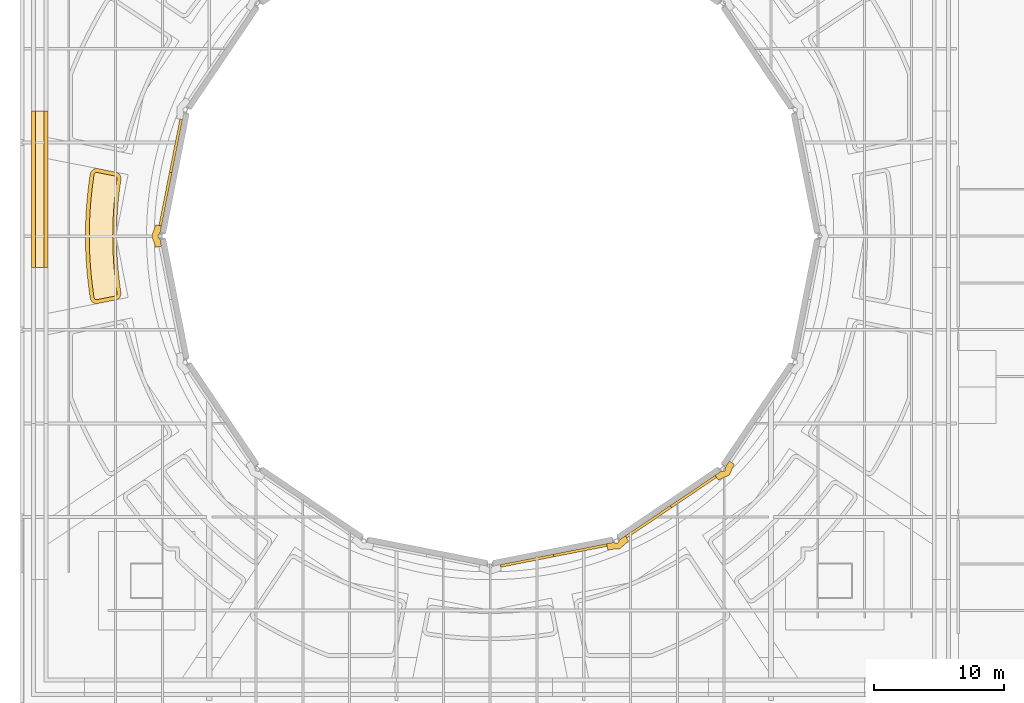
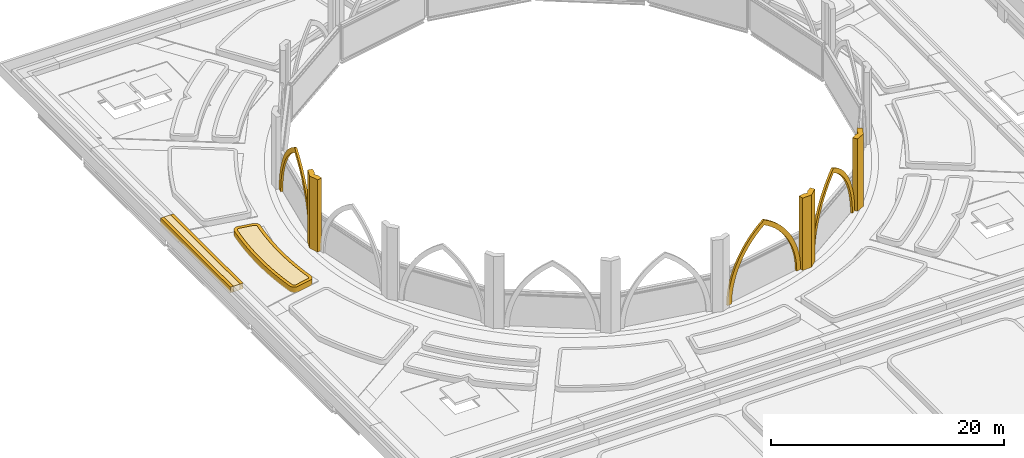
# One storey, part 87 of 110: 11 coverings.
"""IFC4 building model written with IfcOpenShell, lengths in metres."""

from ifc_helpers import new_model, si_unit, direction, frame, origin, place, context, subcontext, project, spatial, polyline, outline, extrude, material, layer, layer_set, type_object, element, save


model = new_model("IFC4")

# Units and contexts
model_context = context("Model", 3, precision=1e-05, world=origin(), true_north=direction((0.0, 1.0)))
body_context = subcontext(model_context, "Body", "Model", "MODEL_VIEW")
ifc_project = project(units=[si_unit("LENGTHUNIT", "METRE"), si_unit("AREAUNIT", "SQUARE_METRE"), si_unit("VOLUMEUNIT", "CUBIC_METRE"), si_unit("PLANEANGLEUNIT", "RADIAN"), si_unit("MASSUNIT", "GRAM", prefix="KILO")], contexts=[model_context])

# Site, building, storey
site_placement = place(None, origin())
site = spatial("IfcSite", under=ifc_project, at=site_placement, CompositionType="ELEMENT")
building_placement = place(site_placement, origin())
building = spatial("IfcBuilding", under=site, at=building_placement, Name="Kupolbacken Congress Centre", CompositionType="ELEMENT")
storey_placement = place(building_placement, frame((0.0, 0.0, 18.0)))
storey = spatial("IfcBuildingStorey", under=building, at=storey_placement, Name="L05", CompositionType="ELEMENT", Elevation=18.0)

# Coverings
ifc_material_1 = material(Name="Limestone cladding", Category="masonry")
ifc_layer_1 = layer(ifc_material_1, 0.60009765625)
ifc_layer_set_1 = layer_set([ifc_layer_1], Name="Limestone cladding")
covering_type_1 = type_object("IfcCoveringType", Name="CV5 limestone arcade pier 600", PredefinedType="CLADDING", material=ifc_layer_set_1)
covering_1_placement = place(storey_placement, origin())
element("IfcCovering", 1, at=covering_1_placement, inside=storey, type_object=covering_type_1, Name="Bed kerb, plenary wing roof", PredefinedType="CLADDING", context=body_context, shape_type="SweptSolid", body=[
    extrude(outline(polyline([(9.202392578125, 84.0), (8.902587890625, 84.0), (8.902587890625, 96.0), (9.202392578125, 96.0), (9.202392578125, 84.0)])), origin(), (0.0, 0.0, 1.0), 0.60009765625),
])
covering_2_placement = place(storey_placement, origin())
element("IfcCovering", 2, at=covering_2_placement, inside=storey, type_object=covering_type_1, Name="Bed kerb, plenary wing roof", PredefinedType="CLADDING", context=body_context, shape_type="SweptSolid", body=[
    extrude(outline(polyline([(7.929931640625, 96.0), (8.22998046875, 96.0), (8.22998046875, 84.0), (7.929931640625, 84.0), (7.929931640625, 96.0)])), origin(), (0.0, 0.0, 1.0), 0.60009765625),
])
covering_3_placement = place(storey_placement, origin())
element("IfcCovering", 3, at=covering_3_placement, inside=storey, type_object=covering_type_1, Name="Bed kerb, plenary wing roof", PredefinedType="CLADDING", context=body_context, shape_type="SweptSolid", body=[
    extrude(outline(polyline([(14.79052734375, 90.611083984375), (14.696533203125, 89.918701171875), (14.69580078125, 89.91259765625), (14.618896484375, 89.218017578125), (14.6181640625, 89.2119140625), (14.558349609375, 88.515869140625), (14.557861328125, 88.509765625), (14.514892578125, 87.812255859375), (14.5146484375, 87.80615234375), (14.489013671875, 87.10791015625), (14.48876953125, 87.101806640625), (14.480224609375, 86.403076171875), (14.480224609375, 86.39697265625), (14.48876953125, 85.6982421875), (14.489013671875, 85.692138671875), (14.5146484375, 84.993896484375), (14.514892578125, 84.98779296875), (14.557861328125, 84.290283203125), (14.558349609375, 84.2841796875), (14.6181640625, 83.587890625), (14.618896484375, 83.581787109375), (14.69580078125, 82.887451171875), (14.696533203125, 82.88134765625), (14.79052734375, 82.18896484375), (14.79150390625, 82.182861328125), (14.811279296875, 82.060546875), (14.816650390625, 82.0126953125), (14.8173828125, 81.96484375), (14.8134765625, 81.917236328125), (14.80517578125, 81.8701171875), (14.792236328125, 81.82373046875), (14.77490234375, 81.779052734375), (14.753662109375, 81.736328125), (14.72802734375, 81.695556640625), (14.698974609375, 81.65771484375), (14.666259765625, 81.62255859375), (14.63037109375, 81.5908203125), (14.591552734375, 81.562744140625), (14.55029296875, 81.53857421875), (14.5068359375, 81.518310546875), (14.461669921875, 81.502197265625), (14.4150390625, 81.490478515625), (13.041259765625, 81.21728515625), (12.99169921875, 81.210205078125), (12.94140625, 81.207763671875), (12.891357421875, 81.210693359375), (12.841796875, 81.21826171875), (12.793212890625, 81.23095703125), (12.74609375, 81.24853515625), (12.700927734375, 81.270751953125), (12.658203125, 81.297119140625), (12.61865234375, 81.327880859375), (12.58203125, 81.362548828125), (12.54931640625, 81.400390625), (12.5205078125, 81.441650390625), (12.495849609375, 81.4853515625), (12.475830078125, 81.531494140625), (12.46044921875, 81.5791015625), (12.4501953125, 81.62841796875), (12.41796875, 81.82763671875), (12.416259765625, 81.83984375), (12.315185546875, 82.58447265625), (12.313720703125, 82.5966796875), (12.230712890625, 83.343505859375), (12.2294921875, 83.355712890625), (12.1650390625, 84.1044921875), (12.1640625, 84.11669921875), (12.1181640625, 84.866943359375), (12.117431640625, 84.879150390625), (12.08984375, 85.630126953125), (12.089599609375, 85.642333984375), (12.080322265625, 86.393798828125), (12.080322265625, 86.406005859375), (12.089599609375, 87.15771484375), (12.08984375, 87.169921875), (12.117431640625, 87.9208984375), (12.1181640625, 87.93310546875), (12.1640625, 88.68310546875), (12.1650390625, 88.6953125), (12.2294921875, 89.444091796875), (12.230712890625, 89.456298828125), (12.313720703125, 90.203369140625), (12.315185546875, 90.215576171875), (12.416259765625, 90.960205078125), (12.41796875, 90.972412109375), (12.4501953125, 91.171630859375), (12.46044921875, 91.220703125), (12.475830078125, 91.2685546875), (12.495849609375, 91.314697265625), (12.5205078125, 91.3583984375), (12.54931640625, 91.3994140625), (12.58203125, 91.4375), (12.61865234375, 91.47216796875), (12.658203125, 91.502685546875), (12.700927734375, 91.529296875), (12.74609375, 91.551513671875), (12.793212890625, 91.569091796875), (12.841796875, 91.581787109375), (12.891357421875, 91.58935546875), (12.94140625, 91.59228515625), (12.99169921875, 91.58984375), (13.041259765625, 91.58251953125), (14.4150390625, 91.309326171875), (14.461669921875, 91.2978515625), (14.5068359375, 91.28173828125), (14.55029296875, 91.261474609375), (14.591552734375, 91.2373046875), (14.63037109375, 91.208984375), (14.666259765625, 91.177490234375), (14.698974609375, 91.142333984375), (14.72802734375, 91.1044921875), (14.753662109375, 91.063720703125), (14.77490234375, 91.02099609375), (14.792236328125, 90.976318359375), (14.80517578125, 90.929931640625), (14.8134765625, 90.8828125), (14.8173828125, 90.835205078125), (14.816650390625, 90.787109375), (14.811279296875, 90.739501953125), (14.79150390625, 90.6171875), (14.79052734375, 90.611083984375)]), holes=[polyline([(14.513916015625, 90.780029296875), (14.516845703125, 90.806396484375), (14.51708984375, 90.825439453125), (14.515625, 90.844482421875), (14.51220703125, 90.86328125), (14.507080078125, 90.881591796875), (14.500244140625, 90.899658203125), (14.49169921875, 90.916748046875), (14.4814453125, 90.932861328125), (14.469970703125, 90.947998046875), (14.456787109375, 90.962158203125), (14.4423828125, 90.974609375), (14.427001953125, 90.986083984375), (14.410400390625, 90.99560546875), (14.39306640625, 91.00390625), (14.375, 91.01025390625), (14.349609375, 91.0166015625), (12.989990234375, 91.286865234375), (12.962890625, 91.291015625), (12.94287109375, 91.291748046875), (12.9228515625, 91.290771484375), (12.903076171875, 91.28759765625), (12.883544921875, 91.28271484375), (12.86474609375, 91.275634765625), (12.8466796875, 91.2666015625), (12.829833984375, 91.256103515625), (12.81396484375, 91.243896484375), (12.79931640625, 91.22998046875), (12.786376953125, 91.21484375), (12.77490234375, 91.198486328125), (12.764892578125, 91.180908203125), (12.7568359375, 91.16259765625), (12.750732421875, 91.1435546875), (12.7451171875, 91.116455078125), (12.714599609375, 90.926513671875), (12.713134765625, 90.91796875), (12.612548828125, 90.177001953125), (12.611572265625, 90.16845703125), (12.529052734375, 89.425048828125), (12.5283203125, 89.41650390625), (12.464111328125, 88.67138671875), (12.46337890625, 88.6630859375), (12.41748046875, 87.91650390625), (12.417236328125, 87.907958984375), (12.3896484375, 87.16064453125), (12.389404296875, 87.152099609375), (12.38037109375, 86.404296875), (12.38037109375, 86.395751953125), (12.389404296875, 85.64794921875), (12.3896484375, 85.639404296875), (12.417236328125, 84.89208984375), (12.41748046875, 84.883544921875), (12.46337890625, 84.136962890625), (12.464111328125, 84.12841796875), (12.5283203125, 83.38330078125), (12.529052734375, 83.375), (12.611572265625, 82.631591796875), (12.612548828125, 82.623046875), (12.713134765625, 81.882080078125), (12.714599609375, 81.87353515625), (12.7451171875, 81.68359375), (12.750732421875, 81.656494140625), (12.7568359375, 81.637451171875), (12.764892578125, 81.618896484375), (12.77490234375, 81.6015625), (12.786376953125, 81.585205078125), (12.79931640625, 81.56982421875), (12.81396484375, 81.55615234375), (12.829833984375, 81.5439453125), (12.8466796875, 81.533203125), (12.86474609375, 81.5244140625), (12.883544921875, 81.517333984375), (12.903076171875, 81.512451171875), (12.9228515625, 81.50927734375), (12.94287109375, 81.50830078125), (12.962890625, 81.509033203125), (12.989990234375, 81.51318359375), (14.349609375, 81.783447265625), (14.375, 81.789794921875), (14.39306640625, 81.796142578125), (14.410400390625, 81.80419921875), (14.427001953125, 81.81396484375), (14.4423828125, 81.8251953125), (14.456787109375, 81.837890625), (14.469970703125, 81.851806640625), (14.4814453125, 81.8671875), (14.49169921875, 81.88330078125), (14.500244140625, 81.900390625), (14.507080078125, 81.918212890625), (14.51220703125, 81.936767578125), (14.515625, 81.95556640625), (14.51708984375, 81.974609375), (14.516845703125, 81.99365234375), (14.513916015625, 82.02001953125), (14.4951171875, 82.13720703125), (14.49365234375, 82.146728515625), (14.399169921875, 82.8427734375), (14.39794921875, 82.8525390625), (14.320556640625, 83.55078125), (14.319580078125, 83.560546875), (14.25927734375, 84.26025390625), (14.258544921875, 84.27001953125), (14.21533203125, 84.97119140625), (14.215087890625, 84.98095703125), (14.189208984375, 85.682861328125), (14.18896484375, 85.692626953125), (14.18017578125, 86.39501953125), (14.18017578125, 86.40478515625), (14.18896484375, 87.107421875), (14.189208984375, 87.1171875), (14.215087890625, 87.819091796875), (14.21533203125, 87.828857421875), (14.258544921875, 88.52978515625), (14.25927734375, 88.539794921875), (14.319580078125, 89.239501953125), (14.320556640625, 89.249267578125), (14.39794921875, 89.947509765625), (14.399169921875, 89.957275390625), (14.49365234375, 90.6533203125), (14.4951171875, 90.662841796875), (14.513916015625, 90.780029296875)])]), origin(), (0.0, 0.0, 1.0), 0.60009765625),
])
ifc_material_2 = material(Name="Limestone cladding", Category="masonry")
ifc_layer_2 = layer(ifc_material_2, 0.5)
ifc_layer_set_2 = layer_set([ifc_layer_2], Name="Limestone cladding")
covering_type_2 = type_object("IfcCoveringType", Name="CV8 limestone drum pier 500", PredefinedType="CLADDING", material=ifc_layer_set_2)
covering_4_placement = place(storey_placement, origin())
element("IfcCovering", 4, at=covering_4_placement, inside=storey, type_object=covering_type_2, Name="F/drum/pier-lo/04/0", PredefinedType="CLADDING", context=body_context, shape_type="SweptSolid", body=[
    extrude(outline(polyline([(52.24365234375, 62.2978515625), (53.163818359375, 62.342041015625), (53.846435546875, 62.964111328125), (53.5947265625, 63.337158203125), (53.18017578125, 63.057373046875), (52.984130859375, 62.776123046875), (52.647216796875, 62.8359375), (52.15673828125, 62.7392578125), (52.24365234375, 62.2978515625)])), origin(), (0.0, 0.0, 1.0), 7.60009765625),
])
covering_5_placement = place(storey_placement, origin())
element("IfcCovering", 5, at=covering_5_placement, inside=storey, type_object=covering_type_2, Name="F/drum/pier-lo/05/0", PredefinedType="CLADDING", context=body_context, shape_type="SweptSolid", body=[
    extrude(outline(polyline([(60.753173828125, 67.625), (61.58154296875, 68.0185546875), (61.974853515625, 68.846923828125), (61.601806640625, 69.0986328125), (61.322265625, 68.68408203125), (61.249267578125, 68.350830078125), (60.915771484375, 68.27783203125), (60.50146484375, 67.998046875), (60.753173828125, 67.625)])), origin(), (0.0, 0.0, 1.0), 7.60009765625),
])
covering_6_placement = place(storey_placement, origin())
element("IfcCovering", 6, at=covering_6_placement, inside=storey, type_object=covering_type_2, Name="F/drum/pier-lo/15/0", PredefinedType="CLADDING", context=body_context, shape_type="SweptSolid", body=[
    extrude(outline(polyline([(17.487548828125, 87.265380859375), (17.17822265625, 86.39990234375), (17.487548828125, 85.53466796875), (17.928955078125, 85.62158203125), (17.83251953125, 86.1123046875), (17.648193359375, 86.39990234375), (17.83251953125, 86.687744140625), (17.928955078125, 87.178466796875), (17.487548828125, 87.265380859375)])), origin(), (0.0, 0.0, 1.0), 7.60009765625),
])
ifc_material_3 = material(Name="Limestone cladding", Category="masonry")
ifc_layer_3 = layer(ifc_material_3, 0.199951171875)
ifc_layer_set_3 = layer_set([ifc_layer_3], Name="Limestone cladding")
covering_type_3 = type_object("IfcCoveringType", Name="CV9 limestone drum arch frame 200", PredefinedType="CLADDING", material=ifc_layer_set_3)
covering_7_placement = place(storey_placement, frame((43.978271484375, 61.129150390625, 0.0), z_axis=(0.193182328084, -0.981162875427, 0.0), x_axis=(0.981162875427, 0.193182328084, 0.0)))
element("IfcCovering", 7, at=covering_7_placement, inside=storey, type_object=covering_type_3, Name="F/drum/arch/wall/04", PredefinedType="CLADDING", context=body_context, shape_type="SweptSolid", body=[
    extrude(outline(polyline([(0.0, 0.0), (0.0234375, 0.615966796875), (0.09326171875, 1.228515625), (0.20947265625, 1.833984375), (0.37109375, 2.4287109375), (0.577392578125, 3.009765625), (0.8271484375, 3.5732421875), (1.118896484375, 4.116455078125), (1.450927734375, 4.6357421875), (1.8212890625, 5.128662109375), (2.227783203125, 5.591796875), (2.66845703125, 6.023193359375), (3.140380859375, 6.419677734375), (3.64111328125, 6.779296875), (4.16748046875, 7.10009765625), (4.694091796875, 6.779296875), (5.19482421875, 6.419677734375), (5.666748046875, 6.023193359375), (6.107421875, 5.591796875), (6.513916015625, 5.128662109375), (6.884521484375, 4.6357421875), (7.21630859375, 4.116455078125), (7.508056640625, 3.5732421875), (7.7578125, 3.009765625), (7.964111328125, 2.4287109375), (8.125732421875, 1.833984375), (8.241943359375, 1.228515625), (8.31201171875, 0.615966796875), (8.335205078125, 0.0), (7.88525390625, 0.0), (7.864501953125, 0.56396484375), (7.802490234375, 1.124755859375), (7.699462890625, 1.679443359375), (7.555908203125, 2.22509765625), (7.372802734375, 2.7587890625), (7.15087890625, 3.277587890625), (6.8916015625, 3.77880859375), (6.59619140625, 4.259521484375), (6.266357421875, 4.71728515625), (5.90380859375, 5.1494140625), (5.51025390625, 5.553955078125), (5.08837890625, 5.928466796875), (4.639892578125, 6.27099609375), (4.16748046875, 6.579833984375), (3.6953125, 6.27099609375), (3.2470703125, 5.928466796875), (2.824951171875, 5.553955078125), (2.431640625, 5.1494140625), (2.069091796875, 4.71728515625), (1.739013671875, 4.259521484375), (1.443603515625, 3.77880859375), (1.184326171875, 3.277587890625), (0.96240234375, 2.7587890625), (0.779296875, 2.22509765625), (0.6357421875, 1.679443359375), (0.53271484375, 1.124755859375), (0.470703125, 0.56396484375), (0.449951171875, 0.0), (0.0, 0.0)])), origin(), (0.0, 0.0, 1.0), 0.199951171875),
])
covering_8_placement = place(storey_placement, frame((53.5947265625, 63.337158203125, 0.0), z_axis=(0.559385513106, -0.828907623157, 0.0), x_axis=(0.828907623157, 0.559385513106, 0.0)))
element("IfcCovering", 8, at=covering_8_placement, inside=storey, type_object=covering_type_3, Name="F/drum/arch/wall/05", PredefinedType="CLADDING", context=body_context, shape_type="SweptSolid", body=[
    extrude(outline(polyline([(0.0, 0.0), (0.0234375, 0.615966796875), (0.09326171875, 1.228271484375), (0.20947265625, 1.833740234375), (0.37109375, 2.428466796875), (0.5771484375, 3.009521484375), (0.826904296875, 3.572998046875), (1.118408203125, 4.115966796875), (1.4501953125, 4.635498046875), (1.820556640625, 5.128173828125), (2.22705078125, 5.591552734375), (2.66748046875, 6.022705078125), (3.139404296875, 6.41943359375), (3.639892578125, 6.779296875), (4.166015625, 7.10009765625), (4.6923828125, 6.779296875), (5.19287109375, 6.41943359375), (5.664794921875, 6.022705078125), (6.105224609375, 5.591552734375), (6.51171875, 5.128173828125), (6.8818359375, 4.635498046875), (7.2138671875, 4.115966796875), (7.50537109375, 3.572998046875), (7.7548828125, 3.009521484375), (7.961181640625, 2.428466796875), (8.122802734375, 1.833740234375), (8.239013671875, 1.228271484375), (8.308837890625, 0.615966796875), (8.332275390625, 0.0), (7.882080078125, 0.0), (7.861572265625, 0.563720703125), (7.799560546875, 1.12451171875), (7.696533203125, 1.67919921875), (7.552978515625, 2.224853515625), (7.3701171875, 2.758544921875), (7.148193359375, 3.277099609375), (6.888916015625, 3.7783203125), (6.59375, 4.259033203125), (6.263916015625, 4.716796875), (5.901611328125, 5.149169921875), (5.50830078125, 5.5537109375), (5.08642578125, 5.92822265625), (4.63818359375, 6.27099609375), (4.166015625, 6.57958984375), (3.694091796875, 6.27099609375), (3.245849609375, 5.92822265625), (2.823974609375, 5.5537109375), (2.4306640625, 5.149169921875), (2.068359375, 4.716796875), (1.738525390625, 4.259033203125), (1.443115234375, 3.7783203125), (1.18408203125, 3.277099609375), (0.96240234375, 2.758544921875), (0.779296875, 2.224853515625), (0.6357421875, 1.67919921875), (0.53271484375, 1.12451171875), (0.470703125, 0.563720703125), (0.449951171875, 0.0), (0.0, 0.0)])), origin(), (0.0, 0.0, 1.0), 0.199951171875),
])
covering_9_placement = place(storey_placement, frame((19.539306640625, 95.356689453125, 0.0), z_axis=(-0.981162875427, 0.193182328084, 0.0), x_axis=(-0.193182328084, -0.981162875427, 0.0)))
element("IfcCovering", 9, at=covering_9_placement, inside=storey, type_object=covering_type_3, Name="F/drum/arch/wall/15", PredefinedType="CLADDING", context=body_context, shape_type="SweptSolid", body=[
    extrude(outline(polyline([(0.0, 0.0), (0.0234375, 0.615966796875), (0.09326171875, 1.228515625), (0.20947265625, 1.833984375), (0.37109375, 2.4287109375), (0.577392578125, 3.009765625), (0.8271484375, 3.5732421875), (1.118896484375, 4.116455078125), (1.450927734375, 4.6357421875), (1.8212890625, 5.128662109375), (2.227783203125, 5.591796875), (2.66845703125, 6.023193359375), (3.140380859375, 6.419677734375), (3.64111328125, 6.779296875), (4.16748046875, 7.10009765625), (4.694091796875, 6.779296875), (5.19482421875, 6.419677734375), (5.666748046875, 6.023193359375), (6.107421875, 5.591796875), (6.513916015625, 5.128662109375), (6.884521484375, 4.6357421875), (7.21630859375, 4.116455078125), (7.508056640625, 3.5732421875), (7.7578125, 3.009765625), (7.964111328125, 2.4287109375), (8.125732421875, 1.833984375), (8.241943359375, 1.228515625), (8.31201171875, 0.615966796875), (8.335205078125, 0.0), (7.88525390625, 0.0), (7.864501953125, 0.56396484375), (7.802490234375, 1.124755859375), (7.699462890625, 1.679443359375), (7.555908203125, 2.22509765625), (7.372802734375, 2.7587890625), (7.15087890625, 3.277587890625), (6.8916015625, 3.77880859375), (6.59619140625, 4.259521484375), (6.266357421875, 4.71728515625), (5.90380859375, 5.1494140625), (5.51025390625, 5.553955078125), (5.08837890625, 5.928466796875), (4.639892578125, 6.27099609375), (4.16748046875, 6.579833984375), (3.6953125, 6.27099609375), (3.2470703125, 5.928466796875), (2.824951171875, 5.553955078125), (2.431640625, 5.1494140625), (2.069091796875, 4.71728515625), (1.739013671875, 4.259521484375), (1.443603515625, 3.77880859375), (1.184326171875, 3.277587890625), (0.96240234375, 2.7587890625), (0.779296875, 2.22509765625), (0.6357421875, 1.679443359375), (0.53271484375, 1.124755859375), (0.470703125, 0.56396484375), (0.449951171875, 0.0), (0.0, 0.0)])), origin(), (0.0, 0.0, 1.0), 0.199951171875),
])
ifc_material_4 = material(Name="Planting substrate", Category="soil")
ifc_layer_4 = layer(ifc_material_4, 0.60009765625)
ifc_layer_set_4 = layer_set([ifc_layer_4], Name="Planting substrate")
covering_type_4 = type_object("IfcCoveringType", Name="GR8 planting substrate 600", PredefinedType="FLOORING", material=ifc_layer_set_4)
covering_10_placement = place(storey_placement, origin())
element("IfcCovering", 10, at=covering_10_placement, inside=storey, type_object=covering_type_4, Name="Planting bed, plenary wing roof", PredefinedType="FLOORING", context=body_context, shape_type="SweptSolid", body=[
    extrude(outline(polyline([(8.22998046875, 96.0), (8.902587890625, 96.0), (8.902587890625, 84.0), (8.22998046875, 84.0), (8.22998046875, 96.0)])), origin(), (0.0, 0.0, 1.0), 0.60009765625),
])
covering_11_placement = place(storey_placement, origin())
element("IfcCovering", 11, at=covering_11_placement, inside=storey, type_object=covering_type_4, Name="Planting bed, plenary wing roof", PredefinedType="FLOORING", context=body_context, shape_type="SweptSolid", body=[
    extrude(outline(polyline([(14.4951171875, 90.662841796875), (14.49365234375, 90.6533203125), (14.399169921875, 89.957275390625), (14.39794921875, 89.947509765625), (14.320556640625, 89.249267578125), (14.319580078125, 89.239501953125), (14.25927734375, 88.539794921875), (14.258544921875, 88.52978515625), (14.21533203125, 87.828857421875), (14.215087890625, 87.819091796875), (14.189208984375, 87.1171875), (14.18896484375, 87.107421875), (14.18017578125, 86.40478515625), (14.18017578125, 86.39501953125), (14.18896484375, 85.692626953125), (14.189208984375, 85.682861328125), (14.215087890625, 84.98095703125), (14.21533203125, 84.97119140625), (14.258544921875, 84.27001953125), (14.25927734375, 84.26025390625), (14.319580078125, 83.560546875), (14.320556640625, 83.55078125), (14.39794921875, 82.8525390625), (14.399169921875, 82.8427734375), (14.49365234375, 82.146728515625), (14.4951171875, 82.13720703125), (14.513916015625, 82.02001953125), (14.516845703125, 81.99365234375), (14.51708984375, 81.974609375), (14.515625, 81.95556640625), (14.51220703125, 81.936767578125), (14.507080078125, 81.918212890625), (14.500244140625, 81.900390625), (14.49169921875, 81.88330078125), (14.4814453125, 81.8671875), (14.469970703125, 81.851806640625), (14.456787109375, 81.837890625), (14.4423828125, 81.8251953125), (14.427001953125, 81.81396484375), (14.410400390625, 81.80419921875), (14.39306640625, 81.796142578125), (14.375, 81.789794921875), (14.349609375, 81.783447265625), (12.989990234375, 81.51318359375), (12.962890625, 81.509033203125), (12.94287109375, 81.50830078125), (12.9228515625, 81.50927734375), (12.903076171875, 81.512451171875), (12.883544921875, 81.517333984375), (12.86474609375, 81.5244140625), (12.8466796875, 81.533203125), (12.829833984375, 81.5439453125), (12.81396484375, 81.55615234375), (12.79931640625, 81.56982421875), (12.786376953125, 81.585205078125), (12.77490234375, 81.6015625), (12.764892578125, 81.618896484375), (12.7568359375, 81.637451171875), (12.750732421875, 81.656494140625), (12.7451171875, 81.68359375), (12.714599609375, 81.87353515625), (12.713134765625, 81.882080078125), (12.612548828125, 82.623046875), (12.611572265625, 82.631591796875), (12.529052734375, 83.375), (12.5283203125, 83.38330078125), (12.464111328125, 84.12841796875), (12.46337890625, 84.136962890625), (12.41748046875, 84.883544921875), (12.417236328125, 84.89208984375), (12.3896484375, 85.639404296875), (12.389404296875, 85.64794921875), (12.38037109375, 86.395751953125), (12.38037109375, 86.404296875), (12.389404296875, 87.152099609375), (12.3896484375, 87.16064453125), (12.417236328125, 87.907958984375), (12.41748046875, 87.91650390625), (12.46337890625, 88.6630859375), (12.464111328125, 88.67138671875), (12.5283203125, 89.41650390625), (12.529052734375, 89.425048828125), (12.611572265625, 90.16845703125), (12.612548828125, 90.177001953125), (12.713134765625, 90.91796875), (12.714599609375, 90.926513671875), (12.7451171875, 91.116455078125), (12.750732421875, 91.1435546875), (12.7568359375, 91.16259765625), (12.764892578125, 91.180908203125), (12.77490234375, 91.198486328125), (12.786376953125, 91.21484375), (12.79931640625, 91.22998046875), (12.81396484375, 91.243896484375), (12.829833984375, 91.256103515625), (12.8466796875, 91.2666015625), (12.86474609375, 91.275634765625), (12.883544921875, 91.28271484375), (12.903076171875, 91.28759765625), (12.9228515625, 91.290771484375), (12.94287109375, 91.291748046875), (12.962890625, 91.291015625), (12.989990234375, 91.286865234375), (14.349609375, 91.0166015625), (14.375, 91.01025390625), (14.39306640625, 91.00390625), (14.410400390625, 90.99560546875), (14.427001953125, 90.986083984375), (14.4423828125, 90.974609375), (14.456787109375, 90.962158203125), (14.469970703125, 90.947998046875), (14.4814453125, 90.932861328125), (14.49169921875, 90.916748046875), (14.500244140625, 90.899658203125), (14.507080078125, 90.881591796875), (14.51220703125, 90.86328125), (14.515625, 90.844482421875), (14.51708984375, 90.825439453125), (14.516845703125, 90.806396484375), (14.513916015625, 90.780029296875), (14.4951171875, 90.662841796875)])), origin(), (0.0, 0.0, 1.0), 0.60009765625),
])

save(model, "model.ifc")
